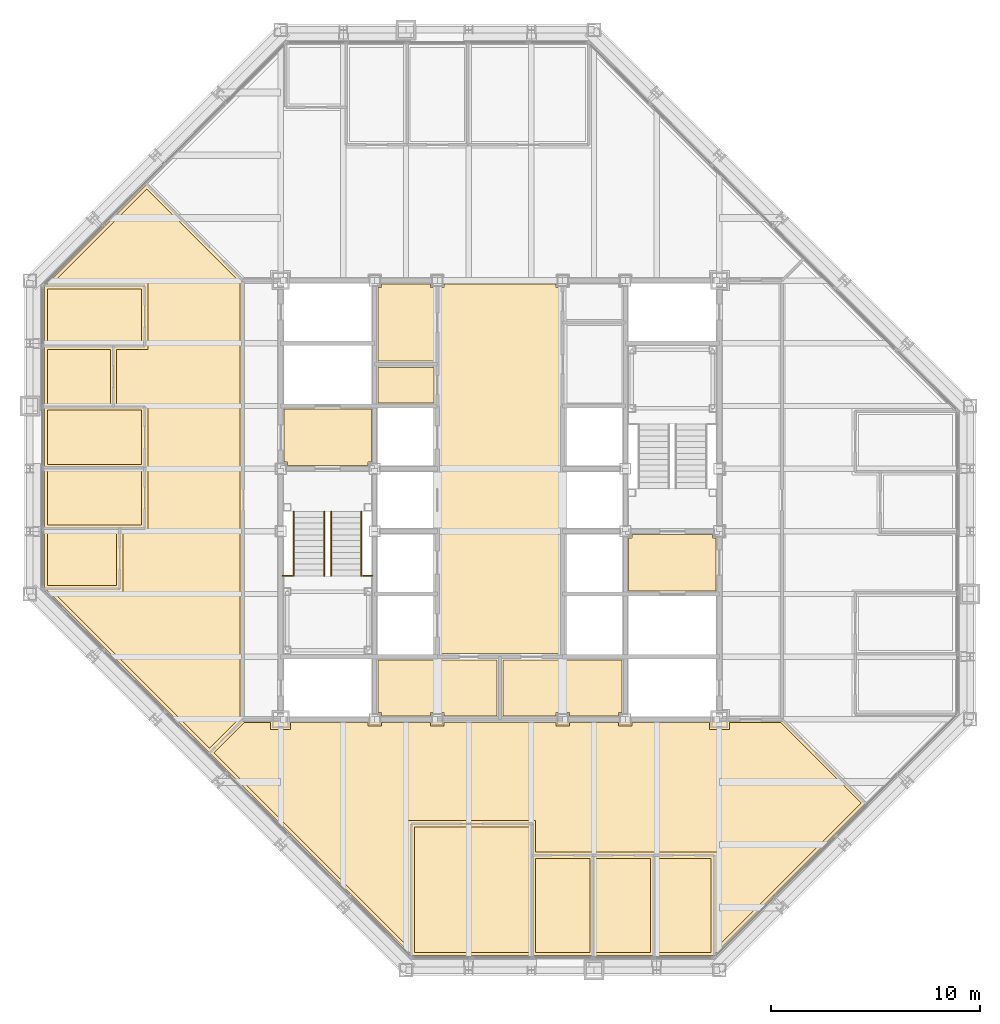
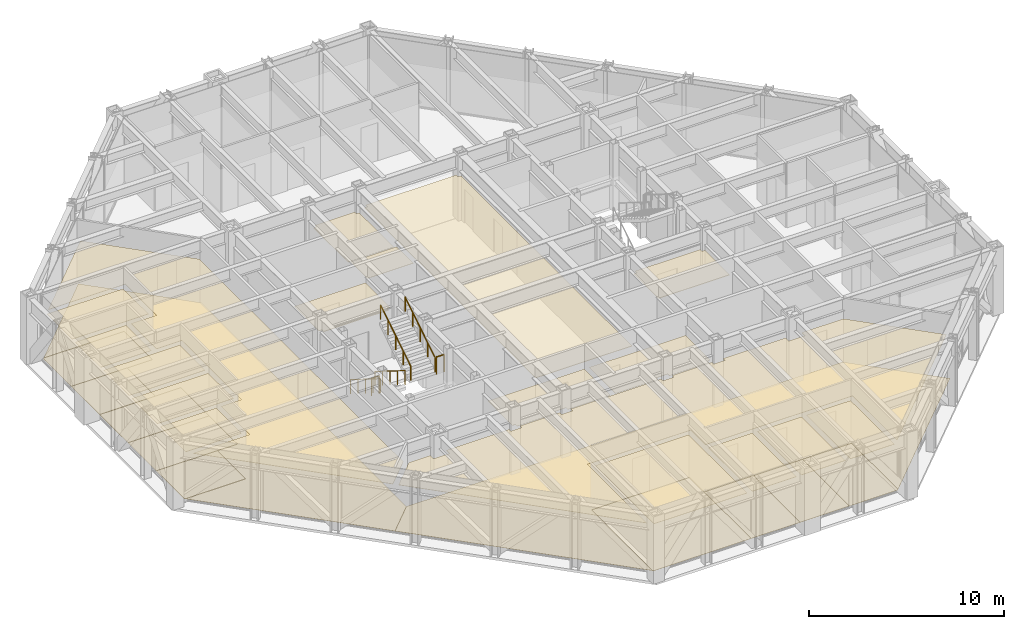
# One storey, part 15 of 16: 29 coverings, 6 railings.
"""IFC4 building model written with IfcOpenShell, lengths in metres."""

from ifc_helpers import new_model, si_unit, direction, frame, origin, origin_2d, place, context, subcontext, project, spatial, polyline, circle, outline, extrude, material, layer, layer_set, type_object, element, save


model = new_model("IFC4")

# Units and contexts
model_context = context("Model", 3, precision=1e-05, world=origin(), true_north=direction((0.0, 1.0)))
body_context = subcontext(model_context, "Body", "Model", "MODEL_VIEW")
ifc_project = project(units=[si_unit("LENGTHUNIT", "METRE"), si_unit("AREAUNIT", "SQUARE_METRE"), si_unit("VOLUMEUNIT", "CUBIC_METRE"), si_unit("PLANEANGLEUNIT", "RADIAN"), si_unit("MASSUNIT", "GRAM", prefix="KILO")], contexts=[model_context])

# Site, building, storey
site_placement = place(None, origin())
site = spatial("IfcSite", under=ifc_project, at=site_placement, CompositionType="ELEMENT")
building_placement = place(site_placement, origin())
building = spatial("IfcBuilding", under=site, at=building_placement, Name="Chuquiago Exchange Tower", CompositionType="ELEMENT")
storey_placement = place(building_placement, frame((0.0, 0.0, 226.5)))
storey = spatial("IfcBuildingStorey", under=building, at=storey_placement, Name="L50", CompositionType="ELEMENT", Elevation=226.5)

# Coverings
ifc_material_1 = material(Name="Mineral fibre tile, 600 x 600, on pale metal grid", Category="mineral fibre")
ifc_layer_1 = layer(ifc_material_1, 0.02001953125)
ifc_layer_set_1 = layer_set([ifc_layer_1], Name="CL1 suspended tile ceiling 20")
covering_type_1 = type_object("IfcCoveringType", Name="CL1 suspended tile ceiling 20", PredefinedType="CEILING", material=ifc_layer_set_1)
covering_1_placement = place(storey_placement, frame((0.0, 0.0, 2.800048828125)))
element("IfcCovering", 1, at=covering_1_placement, inside=storey, type_object=covering_type_1, Name="Ceiling Conference room", PredefinedType="CEILING", context=body_context, shape_type="SweptSolid", body=[
    extrude(outline(polyline([(18.3984375, 6.85009765625), (23.899658203125, 6.85009765625), (23.899658203125, 0.85009765625), (18.3984375, 0.85009765625), (18.3984375, 6.85009765625)])), origin(), (0.0, 0.0, 1.0), 0.02001953125),
])
covering_2_placement = place(storey_placement, frame((0.0, 0.0, 2.800048828125)))
element("IfcCovering", 2, at=covering_2_placement, inside=storey, type_object=covering_type_1, Name="Ceiling Office", PredefinedType="CEILING", context=body_context, shape_type="SweptSolid", body=[
    extrude(outline(polyline([(24.19970703125, 5.35009765625), (26.80029296875, 5.35009765625), (26.80029296875, 0.85009765625), (24.19970703125, 0.85009765625), (24.19970703125, 5.35009765625)])), origin(), (0.0, 0.0, 1.0), 0.02001953125),
])
covering_3_placement = place(storey_placement, frame((0.0, 0.0, 2.800048828125)))
element("IfcCovering", 3, at=covering_3_placement, inside=storey, type_object=covering_type_1, Name="Ceiling Compliance office", PredefinedType="CEILING", context=body_context, shape_type="SweptSolid", body=[
    extrude(outline(polyline([(27.100341796875, 5.35009765625), (29.700927734375, 5.35009765625), (29.700927734375, 0.85009765625), (27.100341796875, 0.85009765625), (27.100341796875, 5.35009765625)])), origin(), (0.0, 0.0, 1.0), 0.02001953125),
])
covering_4_placement = place(storey_placement, frame((0.0, 0.0, 2.800048828125)))
element("IfcCovering", 4, at=covering_4_placement, inside=storey, type_object=covering_type_1, Name="Ceiling Office", PredefinedType="CEILING", context=body_context, shape_type="SweptSolid", body=[
    extrude(outline(polyline([(30.0009765625, 0.85009765625), (30.0009765625, 5.35009765625), (32.6015625, 5.35009765625), (32.6015625, 0.85009765625), (30.0009765625, 0.85009765625)])), origin(), (0.0, 0.0, 1.0), 0.02001953125),
])
covering_5_placement = place(storey_placement, frame((0.0, 0.0, 2.800048828125)))
element("IfcCovering", 5, at=covering_5_placement, inside=storey, type_object=covering_type_1, Name="Ceiling Pantry", PredefinedType="CEILING", context=body_context, shape_type="SweptSolid", body=[
    extrude(outline(polyline([(0.85009765625, 20.9990234375), (4.14990234375, 20.9990234375), (4.14990234375, 18.3984375), (0.85009765625, 18.3984375), (0.85009765625, 20.9990234375)])), origin(), (0.0, 0.0, 1.0), 0.02001953125),
])
covering_6_placement = place(storey_placement, frame((0.0, 0.0, 2.800048828125)))
element("IfcCovering", 6, at=covering_6_placement, inside=storey, type_object=covering_type_1, Name="Ceiling Office", PredefinedType="CEILING", context=body_context, shape_type="SweptSolid", body=[
    extrude(outline(polyline([(5.35009765625, 23.899658203125), (5.35009765625, 21.299072265625), (0.85009765625, 21.299072265625), (0.85009765625, 23.899658203125), (5.35009765625, 23.899658203125)])), origin(), (0.0, 0.0, 1.0), 0.02001953125),
])
covering_7_placement = place(storey_placement, frame((0.0, 0.0, 2.800048828125)))
element("IfcCovering", 7, at=covering_7_placement, inside=storey, type_object=covering_type_1, Name="Ceiling Meeting room", PredefinedType="CEILING", context=body_context, shape_type="SweptSolid", body=[
    extrude(outline(polyline([(5.35009765625, 26.80029296875), (5.35009765625, 24.19970703125), (0.85009765625, 24.19970703125), (0.85009765625, 26.80029296875), (5.35009765625, 26.80029296875)])), origin(), (0.0, 0.0, 1.0), 0.02001953125),
])
covering_8_placement = place(storey_placement, frame((0.0, 0.0, 2.800048828125)))
element("IfcCovering", 8, at=covering_8_placement, inside=storey, type_object=covering_type_1, Name="Ceiling Store", PredefinedType="CEILING", context=body_context, shape_type="SweptSolid", body=[
    extrude(outline(polyline([(3.85009765625, 29.700927734375), (3.85009765625, 27.100341796875), (0.85009765625, 27.100341796875), (0.85009765625, 29.700927734375), (3.85009765625, 29.700927734375)])), origin(), (0.0, 0.0, 1.0), 0.02001953125),
])
covering_9_placement = place(storey_placement, frame((0.0, 0.0, 2.800048828125)))
element("IfcCovering", 9, at=covering_9_placement, inside=storey, type_object=covering_type_1, Name="Ceiling Office", PredefinedType="CEILING", context=body_context, shape_type="SweptSolid", body=[
    extrude(outline(polyline([(5.35009765625, 32.6015625), (5.35009765625, 30.0009765625), (0.85009765625, 30.0009765625), (0.85009765625, 32.6015625), (5.35009765625, 32.6015625)])), origin(), (0.0, 0.0, 1.0), 0.02001953125),
])
covering_10_placement = place(storey_placement, frame((0.0, 0.0, 2.800048828125)))
element("IfcCovering", 10, at=covering_10_placement, inside=storey, type_object=covering_type_1, Name="Ceiling Open office south", PredefinedType="CEILING", context=body_context, shape_type="SweptSolid", body=[
    extrude(outline(polyline([(32.901611328125, 5.64990234375), (24.19970703125, 5.64990234375), (24.19970703125, 7.14990234375), (18.098388671875, 7.14990234375), (18.098388671875, 1.103515625), (8.807373046875, 10.39453125), (10.2626953125, 11.85009765625), (11.52490234375, 11.85009765625), (11.52490234375, 11.52490234375), (12.47509765625, 11.52490234375), (12.47509765625, 11.85009765625), (16.175048828125, 11.85009765625), (16.175048828125, 11.675048828125), (16.824951171875, 11.675048828125), (16.824951171875, 11.85009765625), (19.175048828125, 11.85009765625), (19.175048828125, 11.675048828125), (19.824951171875, 11.675048828125), (19.824951171875, 11.85009765625), (25.175048828125, 11.85009765625), (25.175048828125, 11.675048828125), (25.824951171875, 11.675048828125), (25.824951171875, 11.85009765625), (28.175048828125, 11.85009765625), (28.175048828125, 11.675048828125), (28.824951171875, 11.675048828125), (28.824951171875, 11.85009765625), (32.52490234375, 11.85009765625), (32.52490234375, 11.52490234375), (33.47509765625, 11.52490234375), (33.47509765625, 11.85009765625), (35.9375, 11.85009765625), (39.79248046875, 7.99462890625), (32.901611328125, 1.103515625), (32.901611328125, 5.64990234375)])), origin(), (0.0, 0.0, 1.0), 0.02001953125),
])
covering_11_placement = place(storey_placement, frame((0.0, 0.0, 2.800048828125)))
element("IfcCovering", 11, at=covering_11_placement, inside=storey, type_object=covering_type_1, Name="Ceiling Open office west", PredefinedType="CEILING", context=body_context, shape_type="SweptSolid", body=[
    extrude(outline(polyline([(4.449951171875, 18.098388671875), (4.449951171875, 20.9990234375), (5.64990234375, 20.9990234375), (5.64990234375, 27.100341796875), (4.14990234375, 27.100341796875), (4.14990234375, 29.700927734375), (5.64990234375, 29.700927734375), (5.64990234375, 32.901611328125), (1.103515625, 32.901611328125), (5.594482421875, 37.392578125), (10.050048828125, 32.9375), (10.050048828125, 12.0625), (8.594482421875, 10.607421875), (1.103515625, 18.098388671875), (4.449951171875, 18.098388671875)])), origin(), (0.0, 0.0, 1.0), 0.02001953125),
])
covering_12_placement = place(storey_placement, frame((0.0, 0.0, 2.800048828125)))
element("IfcCovering", 12, at=covering_12_placement, inside=storey, type_object=covering_type_1, Name="Ceiling First aid room", PredefinedType="CEILING", context=body_context, shape_type="SweptSolid", body=[
    extrude(outline(polyline([(16.64990234375, 27.14990234375), (16.64990234375, 28.85009765625), (19.35009765625, 28.85009765625), (19.35009765625, 27.14990234375), (16.64990234375, 27.14990234375)])), origin(), (0.0, 0.0, 1.0), 0.02001953125),
])
ifc_material_2 = material(Name="Moisture resistant plasterboard on metal frame", Category="gypsum")
ifc_layer_2 = layer(ifc_material_2, 0.014892578125)
ifc_layer_set_2 = layer_set([ifc_layer_2], Name="CL2 moisture resistant ceiling 15")
covering_type_2 = type_object("IfcCoveringType", Name="CL2 moisture resistant ceiling 15", PredefinedType="CEILING", material=ifc_layer_set_2)
covering_13_placement = place(storey_placement, frame((0.0, 0.0, 2.60009765625)))
element("IfcCovering", 13, at=covering_13_placement, inside=storey, type_object=covering_type_2, Name="Ceiling Male WC", PredefinedType="CEILING", context=body_context, shape_type="SweptSolid", body=[
    extrude(outline(polyline([(16.64990234375, 29.14990234375), (16.64990234375, 32.675048828125), (16.824951171875, 32.675048828125), (16.824951171875, 32.85009765625), (19.175048828125, 32.85009765625), (19.175048828125, 32.675048828125), (19.35009765625, 32.675048828125), (19.35009765625, 29.14990234375), (16.64990234375, 29.14990234375)])), origin(), (0.0, 0.0, 1.0), 0.014892578125),
])
covering_14_placement = place(storey_placement, frame((0.0, 0.0, 2.60009765625)))
element("IfcCovering", 14, at=covering_14_placement, inside=storey, type_object=covering_type_2, Name="Ceiling Accessible WC", PredefinedType="CEILING", context=body_context, shape_type="SweptSolid", body=[
    extrude(outline(polyline([(25.824951171875, 12.14990234375), (25.824951171875, 12.324951171875), (25.175048828125, 12.324951171875), (25.175048828125, 12.14990234375), (22.64990234375, 12.14990234375), (22.64990234375, 14.85009765625), (28.35009765625, 14.85009765625), (28.35009765625, 12.324951171875), (28.175048828125, 12.324951171875), (28.175048828125, 12.14990234375), (25.824951171875, 12.14990234375)])), origin(), (0.0, 0.0, 1.0), 0.014892578125),
])
covering_15_placement = place(storey_placement, frame((0.0, 0.0, 2.60009765625)))
element("IfcCovering", 15, at=covering_15_placement, inside=storey, type_object=covering_type_2, Name="Ceiling Cleaner", PredefinedType="CEILING", context=body_context, shape_type="SweptSolid", body=[
    extrude(outline(polyline([(19.824951171875, 12.14990234375), (19.824951171875, 12.324951171875), (19.175048828125, 12.324951171875), (19.175048828125, 12.14990234375), (16.824951171875, 12.14990234375), (16.824951171875, 12.324951171875), (16.64990234375, 12.324951171875), (16.64990234375, 14.85009765625), (22.35009765625, 14.85009765625), (22.35009765625, 12.14990234375), (19.824951171875, 12.14990234375)])), origin(), (0.0, 0.0, 1.0), 0.014892578125),
])
ifc_material_3 = material(Name="Pale metal plank ceiling, perforated", Category="aluminium")
ifc_layer_3 = layer(ifc_material_3, 0.030029296875)
ifc_layer_set_3 = layer_set([ifc_layer_3], Name="CL3 metal plank ceiling 30")
covering_type_3 = type_object("IfcCoveringType", Name="CL3 metal plank ceiling 30", PredefinedType="CEILING", material=ifc_layer_set_3)
covering_16_placement = place(storey_placement, frame((0.0, 0.0, 2.800048828125)))
element("IfcCovering", 16, at=covering_16_placement, inside=storey, type_object=covering_type_3, Name="Ceiling Lift lobby", PredefinedType="CEILING", context=body_context, shape_type="SweptSolid", body=[
    extrude(outline(polyline([(19.64990234375, 15.14990234375), (19.64990234375, 32.675048828125), (19.824951171875, 32.675048828125), (19.824951171875, 32.85009765625), (25.175048828125, 32.85009765625), (25.175048828125, 32.675048828125), (25.35009765625, 32.675048828125), (25.35009765625, 15.14990234375), (19.64990234375, 15.14990234375)])), origin(), (0.0, 0.0, 1.0), 0.030029296875),
])
covering_17_placement = place(storey_placement, frame((0.0, 0.0, 2.800048828125)))
element("IfcCovering", 17, at=covering_17_placement, inside=storey, type_object=covering_type_3, Name="Ceiling Firefighting lobby", PredefinedType="CEILING", context=body_context, shape_type="SweptSolid", body=[
    extrude(outline(polyline([(12.324951171875, 24.14990234375), (12.324951171875, 24.324951171875), (12.14990234375, 24.324951171875), (12.14990234375, 26.85009765625), (16.35009765625, 26.85009765625), (16.35009765625, 24.324951171875), (16.175048828125, 24.324951171875), (16.175048828125, 24.14990234375), (12.324951171875, 24.14990234375)])), origin(), (0.0, 0.0, 1.0), 0.030029296875),
])
covering_18_placement = place(storey_placement, frame((0.0, 0.0, 2.800048828125)))
element("IfcCovering", 18, at=covering_18_placement, inside=storey, type_object=covering_type_3, Name="Ceiling Firefighting lobby", PredefinedType="CEILING", context=body_context, shape_type="SweptSolid", body=[
    extrude(outline(polyline([(28.64990234375, 18.14990234375), (28.64990234375, 20.675048828125), (28.824951171875, 20.675048828125), (28.824951171875, 20.85009765625), (32.675048828125, 20.85009765625), (32.675048828125, 20.675048828125), (32.85009765625, 20.675048828125), (32.85009765625, 18.14990234375), (28.64990234375, 18.14990234375)])), origin(), (0.0, 0.0, 1.0), 0.030029296875),
])
ifc_material_4 = material(Name="Carpet tile, 500 x 500, on the floor slab", Category="textile")
ifc_layer_4 = layer(ifc_material_4, 0.010009765625)
ifc_layer_set_4 = layer_set([ifc_layer_4], Name="FL1 carpet tile 10")
covering_type_4 = type_object("IfcCoveringType", Name="FL1 carpet tile 10", PredefinedType="FLOORING", material=ifc_layer_set_4)
covering_19_placement = place(storey_placement, origin())
element("IfcCovering", 19, at=covering_19_placement, inside=storey, type_object=covering_type_4, Name="Floor finish Conference room", PredefinedType="FLOORING", context=body_context, shape_type="SweptSolid", body=[
    extrude(outline(polyline([(18.289794921875, 0.699951171875), (18.24853515625, 0.741455078125), (18.24853515625, 7.0), (24.0498046875, 7.0), (24.0498046875, 0.699951171875), (18.289794921875, 0.699951171875)])), origin(), (0.0, 0.0, 1.0), 0.010009765625),
])
covering_20_placement = place(storey_placement, origin())
element("IfcCovering", 20, at=covering_20_placement, inside=storey, type_object=covering_type_4, Name="Floor finish Office", PredefinedType="FLOORING", context=body_context, shape_type="SweptSolid", body=[
    extrude(outline(polyline([(24.0498046875, 0.699951171875), (24.0498046875, 5.5), (26.9501953125, 5.5), (26.9501953125, 0.699951171875), (24.0498046875, 0.699951171875)])), origin(), (0.0, 0.0, 1.0), 0.010009765625),
])
covering_21_placement = place(storey_placement, origin())
element("IfcCovering", 21, at=covering_21_placement, inside=storey, type_object=covering_type_4, Name="Floor finish Compliance office", PredefinedType="FLOORING", context=body_context, shape_type="SweptSolid", body=[
    extrude(outline(polyline([(26.9501953125, 0.699951171875), (26.9501953125, 5.5), (29.850830078125, 5.5), (29.850830078125, 0.699951171875), (26.9501953125, 0.699951171875)])), origin(), (0.0, 0.0, 1.0), 0.010009765625),
])
covering_22_placement = place(storey_placement, origin())
element("IfcCovering", 22, at=covering_22_placement, inside=storey, type_object=covering_type_4, Name="Floor finish Office", PredefinedType="FLOORING", context=body_context, shape_type="SweptSolid", body=[
    extrude(outline(polyline([(32.710205078125, 0.699951171875), (29.850830078125, 0.699951171875), (29.850830078125, 5.5), (32.75146484375, 5.5), (32.75146484375, 0.741455078125), (32.710205078125, 0.699951171875)])), origin(), (0.0, 0.0, 1.0), 0.010009765625),
])
covering_23_placement = place(storey_placement, origin())
element("IfcCovering", 23, at=covering_23_placement, inside=storey, type_object=covering_type_4, Name="Floor finish Office", PredefinedType="FLOORING", context=body_context, shape_type="SweptSolid", body=[
    extrude(outline(polyline([(0.699951171875, 24.0498046875), (5.5, 24.0498046875), (5.5, 21.149169921875), (0.699951171875, 21.149169921875), (0.699951171875, 24.0498046875)])), origin(), (0.0, 0.0, 1.0), 0.010009765625),
])
covering_24_placement = place(storey_placement, origin())
element("IfcCovering", 24, at=covering_24_placement, inside=storey, type_object=covering_type_4, Name="Floor finish Meeting room", PredefinedType="FLOORING", context=body_context, shape_type="SweptSolid", body=[
    extrude(outline(polyline([(0.699951171875, 26.9501953125), (5.5, 26.9501953125), (5.5, 24.0498046875), (0.699951171875, 24.0498046875), (0.699951171875, 26.9501953125)])), origin(), (0.0, 0.0, 1.0), 0.010009765625),
])
covering_25_placement = place(storey_placement, origin())
element("IfcCovering", 25, at=covering_25_placement, inside=storey, type_object=covering_type_4, Name="Floor finish Office", PredefinedType="FLOORING", context=body_context, shape_type="SweptSolid", body=[
    extrude(outline(polyline([(0.699951171875, 32.710205078125), (0.741455078125, 32.75146484375), (5.5, 32.75146484375), (5.5, 29.850830078125), (0.699951171875, 29.850830078125), (0.699951171875, 32.710205078125)])), origin(), (0.0, 0.0, 1.0), 0.010009765625),
])
covering_26_placement = place(storey_placement, origin())
element("IfcCovering", 26, at=covering_26_placement, inside=storey, type_object=covering_type_4, Name="Floor finish Open office south", PredefinedType="FLOORING", context=body_context, shape_type="SweptSolid", body=[
    extrude(outline(polyline([(32.75146484375, 0.741455078125), (32.75146484375, 5.5), (24.0498046875, 5.5), (24.0498046875, 7.0), (18.24853515625, 7.0), (18.24853515625, 0.741455078125), (8.59521484375, 10.39453125), (10.200439453125, 12.0), (35.99951171875, 12.0), (40.004638671875, 7.99462890625), (32.75146484375, 0.741455078125)])), origin(), (0.0, 0.0, 1.0), 0.010009765625),
])
covering_27_placement = place(storey_placement, origin())
element("IfcCovering", 27, at=covering_27_placement, inside=storey, type_object=covering_type_4, Name="Floor finish Open office west", PredefinedType="FLOORING", context=body_context, shape_type="SweptSolid", body=[
    extrude(outline(polyline([(0.741455078125, 18.24853515625), (4.300048828125, 18.24853515625), (4.300048828125, 21.149169921875), (5.5, 21.149169921875), (5.5, 26.9501953125), (4.0, 26.9501953125), (4.0, 29.850830078125), (5.5, 29.850830078125), (5.5, 32.75146484375), (0.741455078125, 32.75146484375), (5.594482421875, 37.604736328125), (10.199951171875, 32.99951171875), (10.199951171875, 12.00048828125), (8.594482421875, 10.395263671875), (0.741455078125, 18.24853515625)])), origin(), (0.0, 0.0, 1.0), 0.010009765625),
])
ifc_material_5 = material(Name="Porcelain floor tile, 600 x 600, on adhesive bed", Category="ceramic")
ifc_layer_5 = layer(ifc_material_5, 0.014892578125)
ifc_layer_set_5 = layer_set([ifc_layer_5], Name="FL2 porcelain tile 15")
covering_type_5 = type_object("IfcCoveringType", Name="FL2 porcelain tile 15", PredefinedType="FLOORING", material=ifc_layer_set_5)
covering_28_placement = place(storey_placement, origin())
element("IfcCovering", 28, at=covering_28_placement, inside=storey, type_object=covering_type_5, Name="Floor finish Pantry", PredefinedType="FLOORING", context=body_context, shape_type="SweptSolid", body=[
    extrude(outline(polyline([(0.699951171875, 21.149169921875), (4.300048828125, 21.149169921875), (4.300048828125, 18.24853515625), (0.741455078125, 18.24853515625), (0.699951171875, 18.289794921875), (0.699951171875, 21.149169921875)])), origin(), (0.0, 0.0, 1.0), 0.014892578125),
])
covering_29_placement = place(storey_placement, origin())
element("IfcCovering", 29, at=covering_29_placement, inside=storey, type_object=covering_type_5, Name="Floor finish Store", PredefinedType="FLOORING", context=body_context, shape_type="SweptSolid", body=[
    extrude(outline(polyline([(0.699951171875, 29.850830078125), (4.0, 29.850830078125), (4.0, 26.9501953125), (0.699951171875, 26.9501953125), (0.699951171875, 29.850830078125)])), origin(), (0.0, 0.0, 1.0), 0.014892578125),
])

# Railings
ifc_material_6 = material(Name="Pale metal guard with safety glass infill", Category="glass")
railing_type_1 = type_object("IfcRailingType", Name="GR1 guard 1100", PredefinedType="GUARDRAIL", material=ifc_material_6)
for number, where, name in (
    (30, (12.10009765625, 18.8701171875, 2.10009765625), "Guard ST1 L50 landing 2"),
    (31, (15.945068359375, 18.8701171875, 2.10009765625), "Guard ST1 L50 landing 2"),
):
    element("IfcRailing", number, at=place(storey_placement, frame(where)), inside=storey, type_object=railing_type_1, Name=name, PredefinedType="GUARDRAIL", context=body_context, shape_type="SweptSolid", body=[
        extrude(circle(Radius=0.02392578125, at=origin_2d()), frame((0.0, 0.0, 1.076171875), z_axis=(1.0, 0.0, 0.0), x_axis=(0.0, 1.0, 0.0)), (0.0, 0.0, 1.0), 0.454833984375),
        extrude(circle(Radius=0.02099609375, at=origin_2d()), origin(), (0.0, 0.0, 1.0), 1.052001953125),
        extrude(circle(Radius=0.02099609375, at=origin_2d()), frame((0.454833984375, 0.0, 0.0)), (0.0, 0.0, 1.0), 1.052001953125),
    ])
ifc_material_7 = material(Name="Pale metal handrail", Category="steel")
railing_type_2 = type_object("IfcRailingType", Name="HR1 handrail 900", PredefinedType="HANDRAIL", material=ifc_material_7)
for number, where, name in (
    (32, (12.635009765625, 21.949951171875, 0.175048828125), "Handrail ST1 L50 flight 1"),
    (33, (14.0849609375, 21.949951171875, 0.175048828125), "Handrail ST1 L50 flight 1"),
):
    element("IfcRailing", number, at=place(storey_placement, frame(where)), inside=storey, type_object=railing_type_2, Name=name, PredefinedType="HANDRAIL", context=body_context, shape_type="SweptSolid", body=[
        extrude(circle(Radius=0.02392578125, at=origin_2d()), frame((0.0, 0.0, 0.8759765625), z_axis=(0.0, -0.847979421464, 0.530029150871), x_axis=(1.0, 0.0, 0.0)), (0.0, 0.0, 1.0), 3.632080078125),
        extrude(circle(Radius=0.02099609375, at=origin_2d()), origin(), (0.0, 0.0, 1.0), 0.851806640625),
        extrude(circle(Radius=0.02099609375, at=origin_2d()), frame((0.0, -0.77001953125, 0.481201171875)), (0.0, 0.0, 1.0), 0.851806640625),
        extrude(circle(Radius=0.02099609375, at=origin_2d()), frame((0.0, -1.5400390625, 0.96240234375)), (0.0, 0.0, 1.0), 0.851806640625),
        extrude(circle(Radius=0.02099609375, at=origin_2d()), frame((0.0, -2.309814453125, 1.44384765625)), (0.0, 0.0, 1.0), 0.851806640625),
        extrude(circle(Radius=0.02099609375, at=origin_2d()), frame((0.0, -3.079833984375, 1.925048828125)), (0.0, 0.0, 1.0), 0.851806640625),
    ])
for number, where, name in (
    (34, (15.864990234375, 18.8701171875, 2.27490234375), "Handrail ST1 L50 flight 2"),
    (35, (14.4150390625, 18.8701171875, 2.27490234375), "Handrail ST1 L50 flight 2"),
):
    element("IfcRailing", number, at=place(storey_placement, frame(where)), inside=storey, type_object=railing_type_2, Name=name, PredefinedType="HANDRAIL", context=body_context, shape_type="SweptSolid", body=[
        extrude(circle(Radius=0.02392578125, at=origin_2d()), frame((0.0, 0.0, 0.8759765625), z_axis=(0.0, 0.847979421464, 0.530029150871), x_axis=(-1.0, 0.0, 0.0)), (0.0, 0.0, 1.0), 3.632080078125),
        extrude(circle(Radius=0.02099609375, at=origin_2d()), origin(), (0.0, 0.0, 1.0), 0.851806640625),
        extrude(circle(Radius=0.02099609375, at=origin_2d()), frame((0.0, 0.77001953125, 0.481201171875)), (0.0, 0.0, 1.0), 0.851806640625),
        extrude(circle(Radius=0.02099609375, at=origin_2d()), frame((0.0, 1.5400390625, 0.96240234375)), (0.0, 0.0, 1.0), 0.851806640625),
        extrude(circle(Radius=0.02099609375, at=origin_2d()), frame((0.0, 2.309814453125, 1.44384765625)), (0.0, 0.0, 1.0), 0.851806640625),
        extrude(circle(Radius=0.02099609375, at=origin_2d()), frame((0.0, 3.079833984375, 1.925048828125)), (0.0, 0.0, 1.0), 0.851806640625),
    ])

save(model, "model.ifc")
